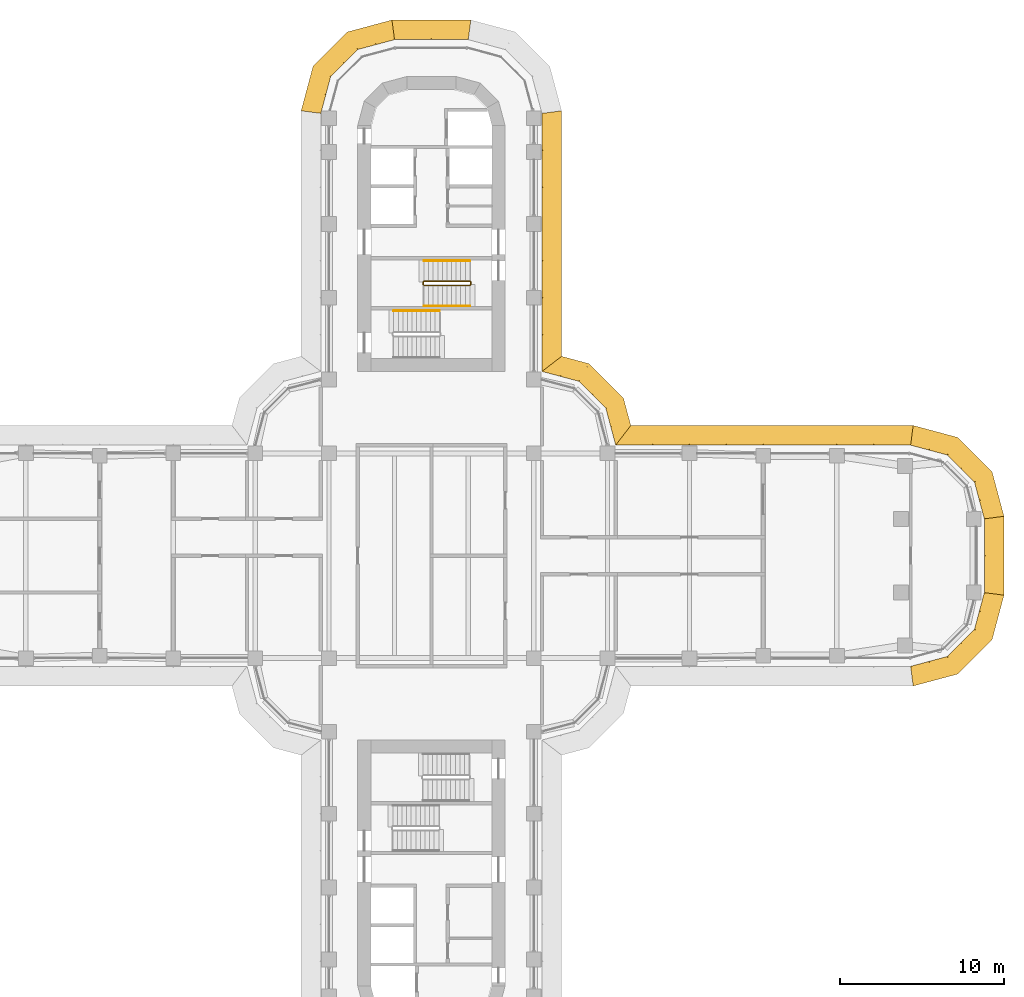
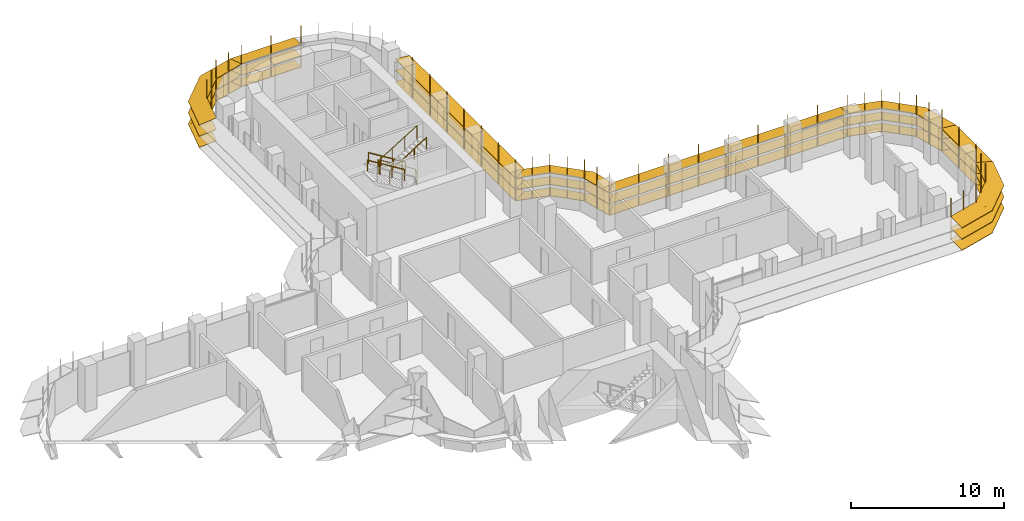
# One storey, part 21 of 22: 8 shading devices, 4 railings.
"""IFC4 building model written with IfcOpenShell, lengths in metres."""

from ifc_helpers import new_model, si_unit, direction, frame, origin, origin_2d, place, context, subcontext, project, spatial, polyline, circle, outline, extrude, faceted_brep, source, transform, mapped, material, type_object, element, save


model = new_model("IFC4")

# Units and contexts
model_context = context("Model", 3, precision=1e-05, world=origin(), true_north=direction((0.0, 1.0)))
body_context = subcontext(model_context, "Body", "Model", "MODEL_VIEW")
ifc_project = project(units=[si_unit("LENGTHUNIT", "METRE"), si_unit("AREAUNIT", "SQUARE_METRE"), si_unit("VOLUMEUNIT", "CUBIC_METRE"), si_unit("PLANEANGLEUNIT", "RADIAN"), si_unit("MASSUNIT", "GRAM", prefix="KILO")], contexts=[model_context])

# Site, building, storey
site_placement = place(None, origin())
site = spatial("IfcSite", under=ifc_project, at=site_placement, CompositionType="ELEMENT")
building_placement = place(site_placement, origin())
building = spatial("IfcBuilding", under=site, at=building_placement, Name="Zarbagh Exchange Tower", CompositionType="ELEMENT")
storey_placement = place(building_placement, frame((0.0, 0.0, 101.800048828125)))
storey = spatial("IfcBuildingStorey", under=building, at=storey_placement, Name="L23", CompositionType="ELEMENT", Elevation=101.800048828125)

# Railings
ifc_material_1 = material(Name="Stainless steel", Category="steel")
railing_type_1 = type_object("IfcRailingType", Name="Stair guard 1100 mm", PredefinedType="GUARDRAIL", material=ifc_material_1)
railing_1_placement = place(storey_placement, frame((-0.449951171875, 16.5, 2.07275390625)))
element("IfcRailing", 1, at=railing_1_placement, inside=storey, type_object=railing_type_1, Name="ST1 stair guard 1", PredefinedType="GUARDRAIL", context=body_context, shape_type="SweptSolid", body=[
    extrude(circle(Radius=0.02392578125, at=origin_2d()), frame((0.0, 0.0, 1.076171875), z_axis=(0.851089632645, 0.0, 0.525020415988), x_axis=(0.0, 1.0, 0.0)), (0.0, 0.0, 1.0), 3.2900390625),
    extrude(circle(Radius=0.02392578125, at=origin_2d()), frame((2.800048828125, 0.0, 2.80322265625), z_axis=(0.013104066473, 0.013168302093, -0.99982742474), x_axis=(-0.708833529934, 0.705375805398, 0.0)), (0.0, 0.0, 1.0), 3.80078125),
    extrude(circle(Radius=0.02392578125, at=origin_2d()), frame((2.849853515625, 0.050048828125, -0.99658203125), z_axis=(0.0, 1.0, 0.0), x_axis=(-1.0, 0.0, 0.0)), (0.0, 0.0, 1.0), 0.14990234375),
    extrude(circle(Radius=0.02392578125, at=origin_2d()), frame((2.849853515625, 0.199951171875, -0.99658203125), z_axis=(-0.267062837333, 0.268371968888, 0.925556009775), x_axis=(-0.708833529934, -0.705375805398, 0.0)), (0.0, 0.0, 1.0), 0.1865234375),
    extrude(circle(Radius=0.02392578125, at=origin_2d()), frame((2.800048828125, 0.25, -0.82421875), z_axis=(-0.851089632645, 0.0, 0.525020415988), x_axis=(0.0, -1.0, 0.0)), (0.0, 0.0, 1.0), 3.2900390625),
    extrude(circle(Radius=0.02392578125, at=origin_2d()), frame((0.0, 0.25, 0.9033203125), z_axis=(-0.707106781187, -0.707106781187, 0.0), x_axis=(0.707106781187, -0.707106781187, 0.0)), (0.0, 0.0, 1.0), 0.07080078125),
    extrude(circle(Radius=0.02392578125, at=origin_2d()), frame((-0.050048828125, 0.199951171875, 0.9033203125), z_axis=(0.0, -1.0, 0.0), x_axis=(1.0, 0.0, 0.0)), (0.0, 0.0, 1.0), 0.14990234375),
    extrude(circle(Radius=0.02099609375, at=origin_2d()), origin(), (0.0, 0.0, 1.0), 1.052001953125),
    extrude(circle(Radius=0.02099609375, at=origin_2d()), frame((0.933349609375, 0.0, 0.57568359375)), (0.0, 0.0, 1.0), 1.052001953125),
    extrude(circle(Radius=0.02099609375, at=origin_2d()), frame((1.86669921875, 0.0, 1.151611328125)), (0.0, 0.0, 1.0), 1.052001953125),
    extrude(circle(Radius=0.02099609375, at=origin_2d()), frame((2.800048828125, 0.0, 1.727294921875)), (0.0, 0.0, 1.0), 1.052001953125),
    extrude(circle(Radius=0.02099609375, at=origin_2d()), frame((2.8125, 0.012451171875, 0.77734375)), (0.0, 0.0, 1.0), 1.052001953125),
    extrude(circle(Radius=0.02099609375, at=origin_2d()), frame((2.824951171875, 0.02490234375, -0.1728515625)), (0.0, 0.0, 1.0), 1.052001953125),
    extrude(circle(Radius=0.02099609375, at=origin_2d()), frame((2.83740234375, 0.03759765625, -1.122802734375)), (0.0, 0.0, 1.0), 1.052001953125),
    extrude(circle(Radius=0.02099609375, at=origin_2d()), frame((2.849853515625, 0.050048828125, -2.07275390625)), (0.0, 0.0, 1.0), 1.052001953125),
    extrude(circle(Radius=0.02099609375, at=origin_2d()), frame((2.849853515625, 0.199951171875, -2.07275390625)), (0.0, 0.0, 1.0), 1.052001953125),
    extrude(circle(Radius=0.02099609375, at=origin_2d()), frame((2.800048828125, 0.25, -1.900146484375)), (0.0, 0.0, 1.0), 1.052001953125),
    extrude(circle(Radius=0.02099609375, at=origin_2d()), frame((1.86669921875, 0.25, -1.324462890625)), (0.0, 0.0, 1.0), 1.052001953125),
    extrude(circle(Radius=0.02099609375, at=origin_2d()), frame((0.933349609375, 0.25, -0.74853515625)), (0.0, 0.0, 1.0), 1.052001953125),
    extrude(circle(Radius=0.02099609375, at=origin_2d()), frame((0.0, 0.25, -0.1728515625)), (0.0, 0.0, 1.0), 1.052001953125),
    extrude(circle(Radius=0.02099609375, at=origin_2d()), frame((-0.050048828125, 0.199951171875, -0.1728515625)), (0.0, 0.0, 1.0), 1.052001953125),
    extrude(circle(Radius=0.02099609375, at=origin_2d()), frame((-0.050048828125, 0.050048828125, -0.1728515625)), (0.0, 0.0, 1.0), 1.052001953125),
])
railing_type_2 = type_object("IfcRailingType", Name="Stair handrail 900 mm", PredefinedType="HANDRAIL", material=ifc_material_1)
railing_2_placement = place(storey_placement, frame((2.35009765625, 18.0, 0.172607421875)))
element("IfcRailing", 2, at=railing_2_placement, inside=storey, type_object=railing_type_2, Name="ST1 stair handrail 1", PredefinedType="HANDRAIL", context=body_context, shape_type="SweptSolid", body=[
    extrude(circle(Radius=0.02392578125, at=origin_2d()), frame((0.0, 0.0, 0.8759765625), z_axis=(-0.851089632645, 0.0, 0.525020415988), x_axis=(0.0, -1.0, 0.0)), (0.0, 0.0, 1.0), 3.2900390625),
    extrude(circle(Radius=0.02099609375, at=origin_2d()), origin(), (0.0, 0.0, 1.0), 0.851806640625),
    extrude(circle(Radius=0.02099609375, at=origin_2d()), frame((-0.933349609375, 0.0, 0.57568359375)), (0.0, 0.0, 1.0), 0.851806640625),
    extrude(circle(Radius=0.02099609375, at=origin_2d()), frame((-1.86669921875, 0.0, 1.151611328125)), (0.0, 0.0, 1.0), 0.851806640625),
    extrude(circle(Radius=0.02099609375, at=origin_2d()), frame((-2.800048828125, 0.0, 1.727294921875)), (0.0, 0.0, 1.0), 0.851806640625),
])
railing_3_placement = place(storey_placement, frame((-0.449951171875, 15.25, 2.07275390625)))
element("IfcRailing", 3, at=railing_3_placement, inside=storey, type_object=railing_type_2, Name="ST1 stair handrail 2", PredefinedType="HANDRAIL", context=body_context, shape_type="SweptSolid", body=[
    extrude(circle(Radius=0.02392578125, at=origin_2d()), frame((0.0, 0.0, 0.8759765625), z_axis=(0.851089632645, 0.0, 0.525020415988), x_axis=(0.0, 1.0, 0.0)), (0.0, 0.0, 1.0), 3.2900390625),
    extrude(circle(Radius=0.02099609375, at=origin_2d()), origin(), (0.0, 0.0, 1.0), 0.851806640625),
    extrude(circle(Radius=0.02099609375, at=origin_2d()), frame((0.933349609375, 0.0, 0.57568359375)), (0.0, 0.0, 1.0), 0.851806640625),
    extrude(circle(Radius=0.02099609375, at=origin_2d()), frame((1.86669921875, 0.0, 1.151611328125)), (0.0, 0.0, 1.0), 0.851806640625),
    extrude(circle(Radius=0.02099609375, at=origin_2d()), frame((2.800048828125, 0.0, 1.727294921875)), (0.0, 0.0, 1.0), 0.851806640625),
])
railing_4_placement = place(storey_placement, frame((0.5, 14.949951171875, 2.07275390625)))
element("IfcRailing", 4, at=railing_4_placement, inside=storey, type_object=railing_type_2, Name="ST2 stair handrail 2", PredefinedType="HANDRAIL", context=body_context, shape_type="SweptSolid", body=[
    extrude(circle(Radius=0.02392578125, at=origin_2d()), frame((0.0, 0.0, 0.8759765625), z_axis=(-0.851089632645, 0.0, 0.525020415988), x_axis=(0.0, -1.0, 0.0)), (0.0, 0.0, 1.0), 3.2900390625),
    extrude(circle(Radius=0.02099609375, at=origin_2d()), origin(), (0.0, 0.0, 1.0), 0.851806640625),
    extrude(circle(Radius=0.02099609375, at=origin_2d()), frame((-0.933349609375, 0.0, 0.57568359375)), (0.0, 0.0, 1.0), 0.851806640625),
    extrude(circle(Radius=0.02099609375, at=origin_2d()), frame((-1.86669921875, 0.0, 1.151611328125)), (0.0, 0.0, 1.0), 0.851806640625),
    extrude(circle(Radius=0.02099609375, at=origin_2d()), frame((-2.800048828125, 0.0, 1.727294921875)), (0.0, 0.0, 1.0), 0.851806640625),
])

# Shading devices
ifc_material_2 = material(Name="Anodised aluminium blades and brackets", Category="aluminium")
shading_device_type = type_object("IfcShadingDeviceType", Name="SUNSHADE louvre band, 11.25 degree blades", PredefinedType="JALOUSIE", material=ifc_material_2)
shared_shape_1 = source(origin(), body_context, "Body", "Brep", [
    faceted_brep([(0.0, 0.0, 0.0), (0.0, 0.0, -0.040771484375), (-0.157958984375, -1.199951171875, -0.279541015625), (-0.157958984375, -1.199951171875, -0.23876953125), (2.65087890625, -1.199951171875, -0.23876953125), (2.65087890625, -1.199951171875, -0.279541015625), (2.329345703125, 0.0, -0.040771484375), (2.329345703125, 0.0, 0.0)], [[[0, 1, 2, 3]], [[4, 5, 6, 7]], [[0, 7, 6, 1]], [[1, 6, 5, 2]], [[2, 5, 4, 3]], [[3, 4, 7, 0]]]),
])
shared_shape_2 = source(origin(), body_context, "Body", "Brep", [
    faceted_brep([(0.0, 0.0, 0.0), (0.0, 0.0, -0.040771484375), (-0.321533203125, -1.199951171875, -0.279541015625), (-0.321533203125, -1.199951171875, -0.23876953125), (2.65087890625, -1.199951171875, -0.23876953125), (2.65087890625, -1.199951171875, -0.279541015625), (2.329345703125, 0.0, -0.040771484375), (2.329345703125, 0.0, 0.0)], [[[0, 1, 2, 3]], [[4, 5, 6, 7]], [[0, 7, 6, 1]], [[1, 6, 5, 2]], [[2, 5, 4, 3]], [[3, 4, 7, 0]]]),
])
shared_shape_3 = source(origin(), body_context, "Body", "Brep", [
    faceted_brep([(0.0, 0.0, 0.0), (0.0, 0.0, -0.040771484375), (-0.321533203125, -1.199951171875, -0.279541015625), (-0.321533203125, -1.199951171875, -0.23876953125), (2.4873046875, -1.199951171875, -0.23876953125), (2.4873046875, -1.199951171875, -0.279541015625), (2.329345703125, 0.0, -0.040771484375), (2.329345703125, 0.0, 0.0)], [[[0, 1, 2, 3]], [[4, 5, 6, 7]], [[0, 7, 6, 1]], [[1, 6, 5, 2]], [[2, 5, 4, 3]], [[3, 4, 7, 0]]]),
])
shared_shape_4 = source(origin(), body_context, "Body", "SweptSolid", [
    extrude(outline(polyline([(0.0, -0.012451171875), (0.06005859375, -0.012451171875), (0.06005859375, 0.012451171875), (0.0, 0.012451171875), (0.0, -0.012451171875)])), origin(), (0.0, 0.0, 1.0), 3.350830078125),
])
placement = place(storey_placement, origin())
element("IfcShadingDevice", 5, at=placement, inside=storey, type_object=shading_device_type, Name="SS05 sunshade band", PredefinedType="JALOUSIE", context=body_context, shape_type="MappedRepresentation", body=[
    mapped(shared_shape_1, transform((29.25, -6.75, 2.300048828125), x_axis=(0.965924289636, 0.258824779902, 0.0), y_axis=(-0.258824779902, 0.965924289636, 0.0), z_axis=(0.0, 0.0, 1.0))),
    mapped(shared_shape_1, transform((29.25, -6.75, 1.39990234375), x_axis=(0.965924289636, 0.258824779902, 0.0), y_axis=(-0.258824779902, 0.965924289636, 0.0), z_axis=(0.0, 0.0, 1.0))),
    mapped(shared_shape_1, transform((29.25, -6.75, 0.5), x_axis=(0.965924289636, 0.258824779902, 0.0), y_axis=(-0.258824779902, 0.965924289636, 0.0), z_axis=(0.0, 0.0, 1.0))),
    mapped(shared_shape_2, transform((31.5, -6.147216796875, 2.300048828125), x_axis=(0.707106781187, 0.707106781187, 0.0), y_axis=(-0.707106781187, 0.707106781187, 0.0), z_axis=(0.0, 0.0, 1.0))),
    mapped(shared_shape_2, transform((31.5, -6.147216796875, 1.39990234375), x_axis=(0.707106781187, 0.707106781187, 0.0), y_axis=(-0.707106781187, 0.707106781187, 0.0), z_axis=(0.0, 0.0, 1.0))),
    mapped(shared_shape_2, transform((31.5, -6.147216796875, 0.5), x_axis=(0.707106781187, 0.707106781187, 0.0), y_axis=(-0.707106781187, 0.707106781187, 0.0), z_axis=(0.0, 0.0, 1.0))),
    mapped(shared_shape_3, transform((33.147216796875, -4.5, 2.300048828125), x_axis=(0.258824779902, 0.965924289636, 0.0), y_axis=(-0.965924289636, 0.258824779902, 0.0), z_axis=(0.0, 0.0, 1.0))),
    mapped(shared_shape_3, transform((33.147216796875, -4.5, 1.39990234375), x_axis=(0.258824779902, 0.965924289636, 0.0), y_axis=(-0.965924289636, 0.258824779902, 0.0), z_axis=(0.0, 0.0, 1.0))),
    mapped(shared_shape_3, transform((33.147216796875, -4.5, 0.5), x_axis=(0.258824779902, 0.965924289636, 0.0), y_axis=(-0.965924289636, 0.258824779902, 0.0), z_axis=(0.0, 0.0, 1.0))),
    mapped(shared_shape_4, transform((29.25, -6.75, 0.42919921875), x_axis=(0.130529263012, -0.991444457092, 0.0), y_axis=(0.991444457092, 0.130529263012, 0.0), z_axis=(0.0, 0.0, 1.0))),
    mapped(shared_shape_4, transform((30.375, -6.448486328125, 0.42919921875), x_axis=(0.258825058029, -0.96592421511, 0.0), y_axis=(0.96592421511, 0.258825058029, 0.0), z_axis=(0.0, 0.0, 1.0))),
    mapped(shared_shape_4, transform((31.5, -6.147216796875, 0.42919921875), x_axis=(0.50000275701, -0.866023812018, 0.0), y_axis=(0.866023812018, 0.50000275701, 0.0), z_axis=(0.0, 0.0, 1.0))),
    mapped(shared_shape_4, transform((32.323486328125, -5.323486328125, 0.42919921875), x_axis=(0.707106781187, -0.707106781187, 0.0), y_axis=(0.707106781187, 0.707106781187, 0.0), z_axis=(0.0, 0.0, 1.0))),
    mapped(shared_shape_4, transform((33.147216796875, -4.5, 0.42919921875), x_axis=(0.866023812018, -0.50000275701, 0.0), y_axis=(0.50000275701, 0.866023812018, 0.0), z_axis=(0.0, 0.0, 1.0))),
    mapped(shared_shape_4, transform((33.448486328125, -3.375, 0.42919921875), x_axis=(0.96592421511, -0.258825058029, 0.0), y_axis=(0.258825058029, 0.96592421511, 0.0), z_axis=(0.0, 0.0, 1.0))),
])
element("IfcShadingDevice", 6, at=placement, inside=storey, type_object=shading_device_type, Name="SS07 sunshade band", PredefinedType="JALOUSIE", context=body_context, shape_type="MappedRepresentation", body=[
    mapped(shared_shape_1, transform((33.75, 2.25, 2.300048828125), x_axis=(-0.258824779902, 0.965924289636, 0.0), y_axis=(-0.965924289636, -0.258824779902, 0.0), z_axis=(0.0, 0.0, 1.0))),
    mapped(shared_shape_1, transform((33.75, 2.25, 1.39990234375), x_axis=(-0.258824779902, 0.965924289636, 0.0), y_axis=(-0.965924289636, -0.258824779902, 0.0), z_axis=(0.0, 0.0, 1.0))),
    mapped(shared_shape_1, transform((33.75, 2.25, 0.5), x_axis=(-0.258824779902, 0.965924289636, 0.0), y_axis=(-0.965924289636, -0.258824779902, 0.0), z_axis=(0.0, 0.0, 1.0))),
    mapped(shared_shape_2, transform((33.147216796875, 4.5, 2.300048828125), x_axis=(-0.707106781187, 0.707106781187, 0.0), y_axis=(-0.707106781187, -0.707106781187, 0.0), z_axis=(0.0, 0.0, 1.0))),
    mapped(shared_shape_2, transform((33.147216796875, 4.5, 1.39990234375), x_axis=(-0.707106781187, 0.707106781187, 0.0), y_axis=(-0.707106781187, -0.707106781187, 0.0), z_axis=(0.0, 0.0, 1.0))),
    mapped(shared_shape_2, transform((33.147216796875, 4.5, 0.5), x_axis=(-0.707106781187, 0.707106781187, 0.0), y_axis=(-0.707106781187, -0.707106781187, 0.0), z_axis=(0.0, 0.0, 1.0))),
    mapped(shared_shape_3, transform((31.5, 6.147216796875, 2.300048828125), x_axis=(-0.965924289636, 0.258824779902, 0.0), y_axis=(-0.258824779902, -0.965924289636, 0.0), z_axis=(0.0, 0.0, 1.0))),
    mapped(shared_shape_3, transform((31.5, 6.147216796875, 1.39990234375), x_axis=(-0.965924289636, 0.258824779902, 0.0), y_axis=(-0.258824779902, -0.965924289636, 0.0), z_axis=(0.0, 0.0, 1.0))),
    mapped(shared_shape_3, transform((31.5, 6.147216796875, 0.5), x_axis=(-0.965924289636, 0.258824779902, 0.0), y_axis=(-0.258824779902, -0.965924289636, 0.0), z_axis=(0.0, 0.0, 1.0))),
    mapped(shared_shape_4, transform((33.75, 2.25, 0.42919921875), x_axis=(0.991444457092, 0.130529263012, 0.0), y_axis=(-0.130529263012, 0.991444457092, 0.0), z_axis=(0.0, 0.0, 1.0))),
    mapped(shared_shape_4, transform((33.448486328125, 3.375, 0.42919921875), x_axis=(0.96592421511, 0.258825058029, 0.0), y_axis=(-0.258825058029, 0.96592421511, 0.0), z_axis=(0.0, 0.0, 1.0))),
    mapped(shared_shape_4, transform((33.147216796875, 4.5, 0.42919921875), x_axis=(0.866023812018, 0.50000275701, 0.0), y_axis=(-0.50000275701, 0.866023812018, 0.0), z_axis=(0.0, 0.0, 1.0))),
    mapped(shared_shape_4, transform((32.323486328125, 5.323486328125, 0.42919921875), x_axis=(0.707106781187, 0.707106781187, 0.0), y_axis=(-0.707106781187, 0.707106781187, 0.0), z_axis=(0.0, 0.0, 1.0))),
    mapped(shared_shape_4, transform((31.5, 6.147216796875, 0.42919921875), x_axis=(0.50000275701, 0.866023812018, 0.0), y_axis=(-0.866023812018, 0.50000275701, 0.0), z_axis=(0.0, 0.0, 1.0))),
    mapped(shared_shape_4, transform((30.375, 6.448486328125, 0.42919921875), x_axis=(0.258825058029, 0.96592421511, 0.0), y_axis=(-0.96592421511, 0.258825058029, 0.0), z_axis=(0.0, 0.0, 1.0))),
])
element("IfcShadingDevice", 7, at=placement, inside=storey, type_object=shading_device_type, Name="SS28 sunshade band", PredefinedType="JALOUSIE", context=body_context, shape_type="MappedRepresentation", body=[
    mapped(shared_shape_1, transform((-2.25, 31.5, 2.300048828125), x_axis=(-0.965924289636, -0.258824779902, 0.0), y_axis=(0.258824779902, -0.965924289636, 0.0), z_axis=(0.0, 0.0, 1.0))),
    mapped(shared_shape_1, transform((-2.25, 31.5, 1.39990234375), x_axis=(-0.965924289636, -0.258824779902, 0.0), y_axis=(0.258824779902, -0.965924289636, 0.0), z_axis=(0.0, 0.0, 1.0))),
    mapped(shared_shape_1, transform((-2.25, 31.5, 0.5), x_axis=(-0.965924289636, -0.258824779902, 0.0), y_axis=(0.258824779902, -0.965924289636, 0.0), z_axis=(0.0, 0.0, 1.0))),
    mapped(shared_shape_2, transform((-4.5, 30.897216796875, 2.300048828125), x_axis=(-0.707106781187, -0.707106781187, 0.0), y_axis=(0.707106781187, -0.707106781187, 0.0), z_axis=(0.0, 0.0, 1.0))),
    mapped(shared_shape_2, transform((-4.5, 30.897216796875, 1.39990234375), x_axis=(-0.707106781187, -0.707106781187, 0.0), y_axis=(0.707106781187, -0.707106781187, 0.0), z_axis=(0.0, 0.0, 1.0))),
    mapped(shared_shape_2, transform((-4.5, 30.897216796875, 0.5), x_axis=(-0.707106781187, -0.707106781187, 0.0), y_axis=(0.707106781187, -0.707106781187, 0.0), z_axis=(0.0, 0.0, 1.0))),
    mapped(shared_shape_3, transform((-6.147216796875, 29.25, 2.300048828125), x_axis=(-0.258824779902, -0.965924289636, 0.0), y_axis=(0.965924289636, -0.258824779902, 0.0), z_axis=(0.0, 0.0, 1.0))),
    mapped(shared_shape_3, transform((-6.147216796875, 29.25, 1.39990234375), x_axis=(-0.258824779902, -0.965924289636, 0.0), y_axis=(0.965924289636, -0.258824779902, 0.0), z_axis=(0.0, 0.0, 1.0))),
    mapped(shared_shape_3, transform((-6.147216796875, 29.25, 0.5), x_axis=(-0.258824779902, -0.965924289636, 0.0), y_axis=(0.965924289636, -0.258824779902, 0.0), z_axis=(0.0, 0.0, 1.0))),
    mapped(shared_shape_4, transform((-2.25, 31.5, 0.42919921875), x_axis=(-0.130529263012, 0.991444457092, 0.0), y_axis=(-0.991444457092, -0.130529263012, 0.0), z_axis=(0.0, 0.0, 1.0))),
    mapped(shared_shape_4, transform((-3.375, 31.198486328125, 0.42919921875), x_axis=(-0.258825058029, 0.96592421511, 0.0), y_axis=(-0.96592421511, -0.258825058029, 0.0), z_axis=(0.0, 0.0, 1.0))),
    mapped(shared_shape_4, transform((-4.5, 30.897216796875, 0.42919921875), x_axis=(-0.50000275701, 0.866023812018, 0.0), y_axis=(-0.866023812018, -0.50000275701, 0.0), z_axis=(0.0, 0.0, 1.0))),
    mapped(shared_shape_4, transform((-5.323486328125, 30.073486328125, 0.42919921875), x_axis=(-0.707106781187, 0.707106781187, 0.0), y_axis=(-0.707106781187, -0.707106781187, 0.0), z_axis=(0.0, 0.0, 1.0))),
    mapped(shared_shape_4, transform((-6.147216796875, 29.25, 0.42919921875), x_axis=(-0.866023812018, 0.50000275701, 0.0), y_axis=(-0.50000275701, -0.866023812018, 0.0), z_axis=(0.0, 0.0, 1.0))),
    mapped(shared_shape_4, transform((-6.448486328125, 28.125, 0.42919921875), x_axis=(-0.96592421511, 0.258825058029, 0.0), y_axis=(-0.258825058029, -0.96592421511, 0.0), z_axis=(0.0, 0.0, 1.0))),
])
shared_shape_5 = source(origin(), body_context, "Body", "Brep", [
    faceted_brep([(0.0, 0.0, 0.0), (0.0, 0.0, -0.040771484375), (0.9208984375, -1.199951171875, -0.279541015625), (0.9208984375, -1.199951171875, -0.23876953125), (2.65087890625, -1.199951171875, -0.23876953125), (2.65087890625, -1.199951171875, -0.279541015625), (2.329345703125, 0.0, -0.040771484375), (2.329345703125, 0.0, 0.0)], [[[0, 1, 2, 3]], [[4, 5, 6, 7]], [[0, 7, 6, 1]], [[1, 6, 5, 2]], [[2, 5, 4, 3]], [[3, 4, 7, 0]]]),
])
shared_shape_6 = source(origin(), body_context, "Body", "Brep", [
    faceted_brep([(0.0, 0.0, 0.0), (0.0, 0.0, -0.040771484375), (-0.321533203125, -1.199951171875, -0.279541015625), (-0.321533203125, -1.199951171875, -0.23876953125), (1.40869140625, -1.199951171875, -0.23876953125), (1.40869140625, -1.199951171875, -0.279541015625), (2.329345703125, 0.0, -0.040771484375), (2.329345703125, 0.0, 0.0)], [[[0, 1, 2, 3]], [[4, 5, 6, 7]], [[0, 7, 6, 1]], [[1, 6, 5, 2]], [[2, 5, 4, 3]], [[3, 4, 7, 0]]]),
])
element("IfcShadingDevice", 8, at=placement, inside=storey, type_object=shading_device_type, Name="SS09 sunshade band", PredefinedType="JALOUSIE", context=body_context, shape_type="MappedRepresentation", body=[
    mapped(shared_shape_5, transform((11.25, 6.75, 2.300048828125), x_axis=(-0.258824779902, 0.965924289636, 0.0), y_axis=(-0.965924289636, -0.258824779902, 0.0), z_axis=(0.0, 0.0, 1.0))),
    mapped(shared_shape_5, transform((11.25, 6.75, 1.39990234375), x_axis=(-0.258824779902, 0.965924289636, 0.0), y_axis=(-0.965924289636, -0.258824779902, 0.0), z_axis=(0.0, 0.0, 1.0))),
    mapped(shared_shape_5, transform((11.25, 6.75, 0.5), x_axis=(-0.258824779902, 0.965924289636, 0.0), y_axis=(-0.965924289636, -0.258824779902, 0.0), z_axis=(0.0, 0.0, 1.0))),
    mapped(shared_shape_2, transform((10.647216796875, 9.0, 2.300048828125), x_axis=(-0.707106781187, 0.707106781187, 0.0), y_axis=(-0.707106781187, -0.707106781187, 0.0), z_axis=(0.0, 0.0, 1.0))),
    mapped(shared_shape_2, transform((10.647216796875, 9.0, 1.39990234375), x_axis=(-0.707106781187, 0.707106781187, 0.0), y_axis=(-0.707106781187, -0.707106781187, 0.0), z_axis=(0.0, 0.0, 1.0))),
    mapped(shared_shape_2, transform((10.647216796875, 9.0, 0.5), x_axis=(-0.707106781187, 0.707106781187, 0.0), y_axis=(-0.707106781187, -0.707106781187, 0.0), z_axis=(0.0, 0.0, 1.0))),
    mapped(shared_shape_6, transform((9.0, 10.647216796875, 2.300048828125), x_axis=(-0.965924289636, 0.258824779902, 0.0), y_axis=(-0.258824779902, -0.965924289636, 0.0), z_axis=(0.0, 0.0, 1.0))),
    mapped(shared_shape_6, transform((9.0, 10.647216796875, 1.39990234375), x_axis=(-0.965924289636, 0.258824779902, 0.0), y_axis=(-0.258824779902, -0.965924289636, 0.0), z_axis=(0.0, 0.0, 1.0))),
    mapped(shared_shape_6, transform((9.0, 10.647216796875, 0.5), x_axis=(-0.965924289636, 0.258824779902, 0.0), y_axis=(-0.258824779902, -0.965924289636, 0.0), z_axis=(0.0, 0.0, 1.0))),
    mapped(shared_shape_4, transform((11.25, 6.75, 0.42919921875), x_axis=(0.608758892, 0.793355287, 0.0), y_axis=(-0.793355287, 0.608758892, 0.0), z_axis=(0.0, 0.0, 1.0))),
    mapped(shared_shape_4, transform((10.948486328125, 7.875, 0.42919921875), x_axis=(0.96592421511, 0.258825058029, 0.0), y_axis=(-0.258825058029, 0.96592421511, 0.0), z_axis=(0.0, 0.0, 1.0))),
    mapped(shared_shape_4, transform((10.647216796875, 9.0, 0.42919921875), x_axis=(0.866023812018, 0.50000275701, 0.0), y_axis=(-0.50000275701, 0.866023812018, 0.0), z_axis=(0.0, 0.0, 1.0))),
    mapped(shared_shape_4, transform((9.823486328125, 9.823486328125, 0.42919921875), x_axis=(0.707106781187, 0.707106781187, 0.0), y_axis=(-0.707106781187, 0.707106781187, 0.0), z_axis=(0.0, 0.0, 1.0))),
    mapped(shared_shape_4, transform((9.0, 10.647216796875, 0.42919921875), x_axis=(0.50000275701, 0.866023812018, 0.0), y_axis=(-0.866023812018, 0.50000275701, 0.0), z_axis=(0.0, 0.0, 1.0))),
    mapped(shared_shape_4, transform((7.875, 10.948486328125, 0.42919921875), x_axis=(0.258825058029, 0.96592421511, 0.0), y_axis=(-0.96592421511, 0.258825058029, 0.0), z_axis=(0.0, 0.0, 1.0))),
])
shared_shape_7 = source(origin(), body_context, "Body", "Brep", [
    faceted_brep([(0.0, 0.0, 0.0), (0.0, 0.0, -0.040771484375), (-0.157958984375, -1.199951171875, -0.279541015625), (-0.157958984375, -1.199951171875, -0.23876953125), (4.657958984375, -1.199951171875, -0.23876953125), (4.657958984375, -1.199951171875, -0.279541015625), (4.5, 0.0, -0.040771484375), (4.5, 0.0, 0.0)], [[[0, 1, 2, 3]], [[4, 5, 6, 7]], [[0, 7, 6, 1]], [[1, 6, 5, 2]], [[2, 5, 4, 3]], [[3, 4, 7, 0]]]),
])
element("IfcShadingDevice", 9, at=placement, inside=storey, type_object=shading_device_type, Name="SS06 sunshade band", PredefinedType="JALOUSIE", context=body_context, shape_type="MappedRepresentation", body=[
    mapped(shared_shape_7, transform((33.75, -2.25, 2.300048828125), x_axis=(0.0, 1.0, 0.0), y_axis=(-1.0, 0.0, 0.0), z_axis=(0.0, 0.0, 1.0))),
    mapped(shared_shape_7, transform((33.75, -2.25, 1.39990234375), x_axis=(0.0, 1.0, 0.0), y_axis=(-1.0, 0.0, 0.0), z_axis=(0.0, 0.0, 1.0))),
    mapped(shared_shape_7, transform((33.75, -2.25, 0.5), x_axis=(0.0, 1.0, 0.0), y_axis=(-1.0, 0.0, 0.0), z_axis=(0.0, 0.0, 1.0))),
    mapped(shared_shape_4, transform((33.75, -2.25, 0.42919921875), x_axis=(0.991444457092, -0.130529263012, 0.0), y_axis=(0.130529263012, 0.991444457092, 0.0), z_axis=(0.0, 0.0, 1.0))),
    mapped(shared_shape_4, transform((33.75, 0.0, 0.42919921875), x_axis=(1.0, 0.0, 0.0), y_axis=(0.0, 1.0, 0.0), z_axis=(0.0, 0.0, 1.0))),
])
shared_shape_8 = source(origin(), body_context, "Body", "Brep", [
    faceted_brep([(0.0, 0.0, 0.0), (0.0, 0.0, -0.040771484375), (-0.157958984375, -1.199951171875, -0.279541015625), (-0.157958984375, -1.199951171875, -0.23876953125), (17.0791015625, -1.199951171875, -0.23876953125), (17.0791015625, -1.199951171875, -0.279541015625), (18.0, 0.0, -0.040771484375), (18.0, 0.0, 0.0)], [[[0, 1, 2, 3]], [[4, 5, 6, 7]], [[0, 7, 6, 1]], [[1, 6, 5, 2]], [[2, 5, 4, 3]], [[3, 4, 7, 0]]]),
])
element("IfcShadingDevice", 10, at=placement, inside=storey, type_object=shading_device_type, Name="SS08 sunshade band", PredefinedType="JALOUSIE", context=body_context, shape_type="MappedRepresentation", body=[
    mapped(shared_shape_8, transform((29.25, 6.75, 2.300048828125), x_axis=(-1.0, 0.0, 0.0), y_axis=(0.0, -1.0, 0.0), z_axis=(0.0, 0.0, 1.0))),
    mapped(shared_shape_8, transform((29.25, 6.75, 1.39990234375), x_axis=(-1.0, 0.0, 0.0), y_axis=(0.0, -1.0, 0.0), z_axis=(0.0, 0.0, 1.0))),
    mapped(shared_shape_8, transform((29.25, 6.75, 0.5), x_axis=(-1.0, 0.0, 0.0), y_axis=(0.0, -1.0, 0.0), z_axis=(0.0, 0.0, 1.0))),
    mapped(shared_shape_4, transform((29.25, 6.75, 0.42919921875), x_axis=(0.130529263012, 0.991444457092, 0.0), y_axis=(-0.991444457092, 0.130529263012, 0.0), z_axis=(0.0, 0.0, 1.0))),
    mapped(shared_shape_4, transform((27.0, 6.75, 0.42919921875), x_axis=(0.0, 1.0, 0.0), y_axis=(-1.0, 0.0, 0.0), z_axis=(0.0, 0.0, 1.0))),
    mapped(shared_shape_4, transform((24.75, 6.75, 0.42919921875), x_axis=(0.0, 1.0, 0.0), y_axis=(-1.0, 0.0, 0.0), z_axis=(0.0, 0.0, 1.0))),
    mapped(shared_shape_4, transform((22.5, 6.75, 0.42919921875), x_axis=(0.0, 1.0, 0.0), y_axis=(-1.0, 0.0, 0.0), z_axis=(0.0, 0.0, 1.0))),
    mapped(shared_shape_4, transform((20.25, 6.75, 0.42919921875), x_axis=(0.0, 1.0, 0.0), y_axis=(-1.0, 0.0, 0.0), z_axis=(0.0, 0.0, 1.0))),
    mapped(shared_shape_4, transform((18.0, 6.75, 0.42919921875), x_axis=(0.0, 1.0, 0.0), y_axis=(-1.0, 0.0, 0.0), z_axis=(0.0, 0.0, 1.0))),
    mapped(shared_shape_4, transform((15.75, 6.75, 0.42919921875), x_axis=(0.0, 1.0, 0.0), y_axis=(-1.0, 0.0, 0.0), z_axis=(0.0, 0.0, 1.0))),
    mapped(shared_shape_4, transform((13.5, 6.75, 0.42919921875), x_axis=(0.0, 1.0, 0.0), y_axis=(-1.0, 0.0, 0.0), z_axis=(0.0, 0.0, 1.0))),
])
shared_shape_9 = source(origin(), body_context, "Body", "Brep", [
    faceted_brep([(0.0, 0.0, 0.0), (0.0, 0.0, -0.040771484375), (0.9208984375, -1.199951171875, -0.279541015625), (0.9208984375, -1.199951171875, -0.23876953125), (15.907958984375, -1.199951171875, -0.23876953125), (15.907958984375, -1.199951171875, -0.279541015625), (15.75, 0.0, -0.040771484375), (15.75, 0.0, 0.0)], [[[0, 1, 2, 3]], [[4, 5, 6, 7]], [[0, 7, 6, 1]], [[1, 6, 5, 2]], [[2, 5, 4, 3]], [[3, 4, 7, 0]]]),
])
element("IfcShadingDevice", 11, at=placement, inside=storey, type_object=shading_device_type, Name="SS25 sunshade band", PredefinedType="JALOUSIE", context=body_context, shape_type="MappedRepresentation", body=[
    mapped(shared_shape_9, transform((6.75, 11.25, 2.300048828125), x_axis=(0.0, 1.0, 0.0), y_axis=(-1.0, 0.0, 0.0), z_axis=(0.0, 0.0, 1.0))),
    mapped(shared_shape_9, transform((6.75, 11.25, 1.39990234375), x_axis=(0.0, 1.0, 0.0), y_axis=(-1.0, 0.0, 0.0), z_axis=(0.0, 0.0, 1.0))),
    mapped(shared_shape_9, transform((6.75, 11.25, 0.5), x_axis=(0.0, 1.0, 0.0), y_axis=(-1.0, 0.0, 0.0), z_axis=(0.0, 0.0, 1.0))),
    mapped(shared_shape_4, transform((6.75, 11.25, 0.42919921875), x_axis=(0.793355287, 0.608758892, 0.0), y_axis=(-0.608758892, 0.793355287, 0.0), z_axis=(0.0, 0.0, 1.0))),
    mapped(shared_shape_4, transform((6.75, 13.5, 0.42919921875), x_axis=(1.0, 0.0, 0.0), y_axis=(0.0, 1.0, 0.0), z_axis=(0.0, 0.0, 1.0))),
    mapped(shared_shape_4, transform((6.75, 15.75, 0.42919921875), x_axis=(1.0, 0.0, 0.0), y_axis=(0.0, 1.0, 0.0), z_axis=(0.0, 0.0, 1.0))),
    mapped(shared_shape_4, transform((6.75, 18.0, 0.42919921875), x_axis=(1.0, 0.0, 0.0), y_axis=(0.0, 1.0, 0.0), z_axis=(0.0, 0.0, 1.0))),
    mapped(shared_shape_4, transform((6.75, 20.25, 0.42919921875), x_axis=(1.0, 0.0, 0.0), y_axis=(0.0, 1.0, 0.0), z_axis=(0.0, 0.0, 1.0))),
    mapped(shared_shape_4, transform((6.75, 22.5, 0.42919921875), x_axis=(1.0, 0.0, 0.0), y_axis=(0.0, 1.0, 0.0), z_axis=(0.0, 0.0, 1.0))),
    mapped(shared_shape_4, transform((6.75, 24.75, 0.42919921875), x_axis=(1.0, 0.0, 0.0), y_axis=(0.0, 1.0, 0.0), z_axis=(0.0, 0.0, 1.0))),
])
element("IfcShadingDevice", 12, at=placement, inside=storey, type_object=shading_device_type, Name="SS27 sunshade band", PredefinedType="JALOUSIE", context=body_context, shape_type="MappedRepresentation", body=[
    mapped(shared_shape_7, transform((2.25, 31.5, 2.300048828125), x_axis=(-1.0, 0.0, 0.0), y_axis=(0.0, -1.0, 0.0), z_axis=(0.0, 0.0, 1.0))),
    mapped(shared_shape_7, transform((2.25, 31.5, 1.39990234375), x_axis=(-1.0, 0.0, 0.0), y_axis=(0.0, -1.0, 0.0), z_axis=(0.0, 0.0, 1.0))),
    mapped(shared_shape_7, transform((2.25, 31.5, 0.5), x_axis=(-1.0, 0.0, 0.0), y_axis=(0.0, -1.0, 0.0), z_axis=(0.0, 0.0, 1.0))),
    mapped(shared_shape_4, transform((2.25, 31.5, 0.42919921875), x_axis=(0.130529263012, 0.991444457092, 0.0), y_axis=(-0.991444457092, 0.130529263012, 0.0), z_axis=(0.0, 0.0, 1.0))),
    mapped(shared_shape_4, transform((0.0, 31.5, 0.42919921875), x_axis=(0.0, 1.0, 0.0), y_axis=(-1.0, 0.0, 0.0), z_axis=(0.0, 0.0, 1.0))),
])

save(model, "model.ifc")
